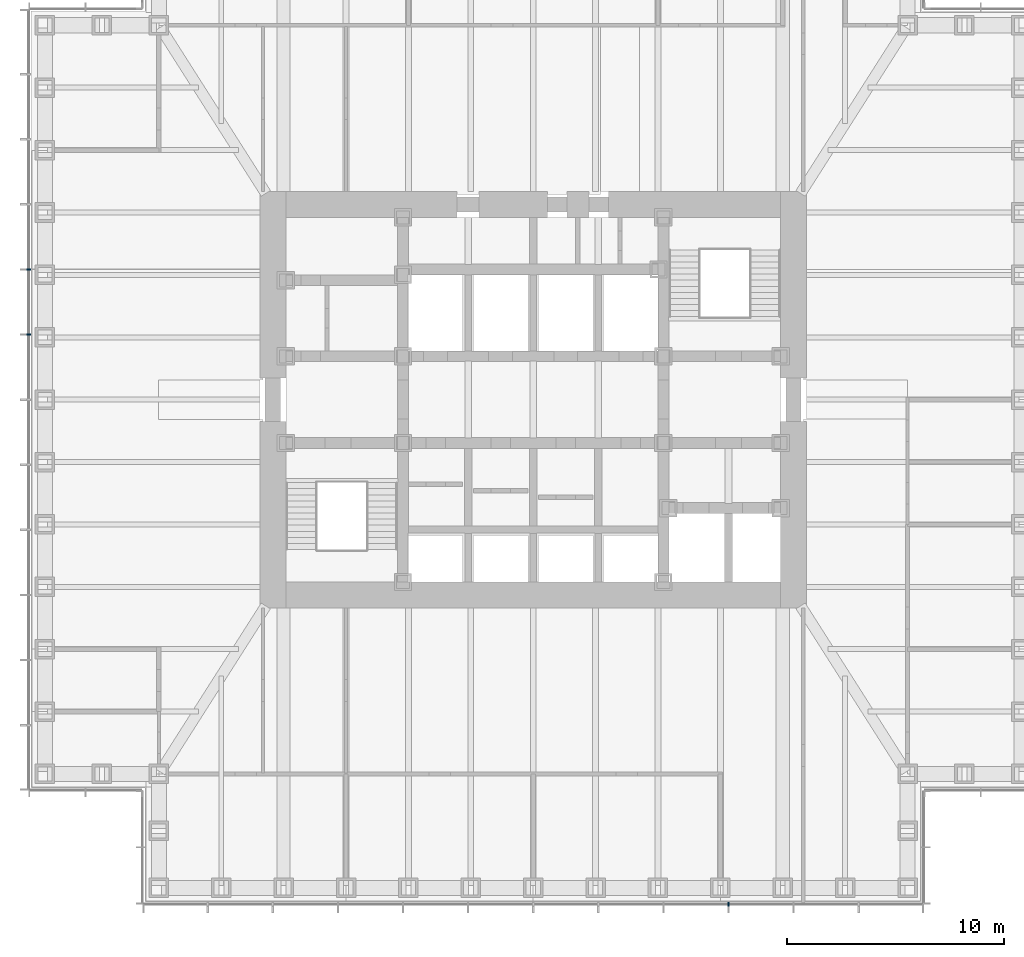
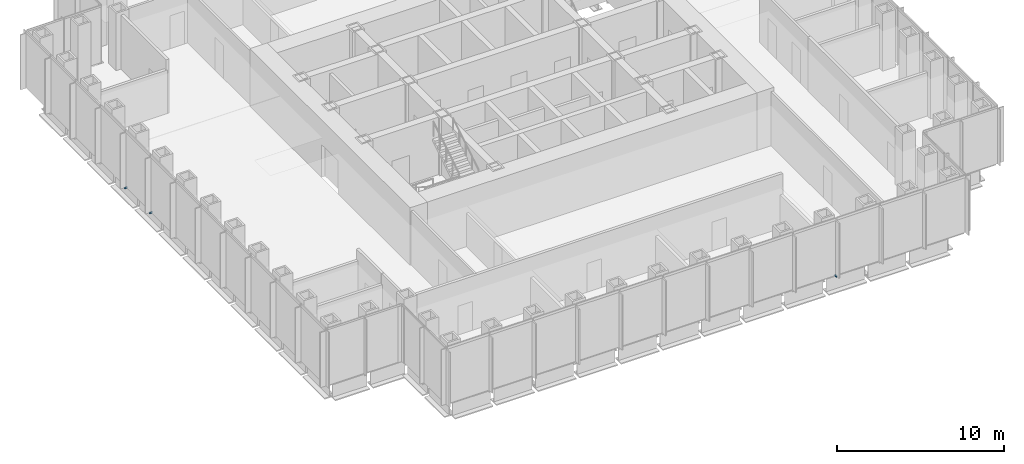
# One storey, part 13 of 17: 3 discrete accessories.
"""IFC4 building model written with IfcOpenShell, lengths in metres."""

from ifc_helpers import new_model, si_unit, direction, frame, origin, origin_2d, place, context, subcontext, project, spatial, rectangle, extrude, element, save


model = new_model("IFC4")

# Units and contexts
model_context = context("Model", 3, precision=1e-05, world=origin(), true_north=direction((0.0, 1.0)))
body_context = subcontext(model_context, "Body", "Model", "MODEL_VIEW")
ifc_project = project(units=[si_unit("LENGTHUNIT", "METRE"), si_unit("AREAUNIT", "SQUARE_METRE"), si_unit("VOLUMEUNIT", "CUBIC_METRE"), si_unit("PLANEANGLEUNIT", "RADIAN"), si_unit("MASSUNIT", "GRAM", prefix="KILO")], contexts=[model_context])

# Site, building, storey
site_placement = place(None, origin())
site = spatial("IfcSite", under=ifc_project, at=site_placement, CompositionType="ELEMENT")
building_placement = place(site_placement, origin())
building = spatial("IfcBuilding", under=site, at=building_placement, Name="Daluyong Arena Tower", CompositionType="ELEMENT")
storey_placement = place(building_placement, frame((0.0, 0.0, 171.10009765625)))
storey = spatial("IfcBuildingStorey", under=building, at=storey_placement, Name="L38", CompositionType="ELEMENT", Elevation=171.10009765625)

# Discrete accessories
for number, where, z_axis, x_axis, name in (
    (1, (65.0, 56.75, -0.10009765625), (0.0, 0.0, 1.0), (1.0, 0.0, 0.0), "curtain wall L38 S anchor bracket 10"),
    (2, (32.75, 86.0, -0.10009765625), (0.0, 0.0, 1.0), (0.0, -1.0, 0.0), "curtain wall L38 W anchor bracket 5"),
    (3, (32.75, 83.0, -0.10009765625), (0.0, 0.0, 1.0), (0.0, -1.0, 0.0), "curtain wall L38 W anchor bracket 6"),
):
    element("IfcDiscreteAccessory", number, at=place(storey_placement, frame(where, z_axis=z_axis, x_axis=x_axis)), inside=storey, Name=name, PredefinedType="BRACKET", context=body_context, shape_type="SweptSolid", body=[
        extrude(rectangle(XDim=0.080078125, YDim=0.199951171875, at=origin_2d()), origin(), (0.0, 0.0, 1.0), 0.10009765625),
    ])

save(model, "model.ifc")
